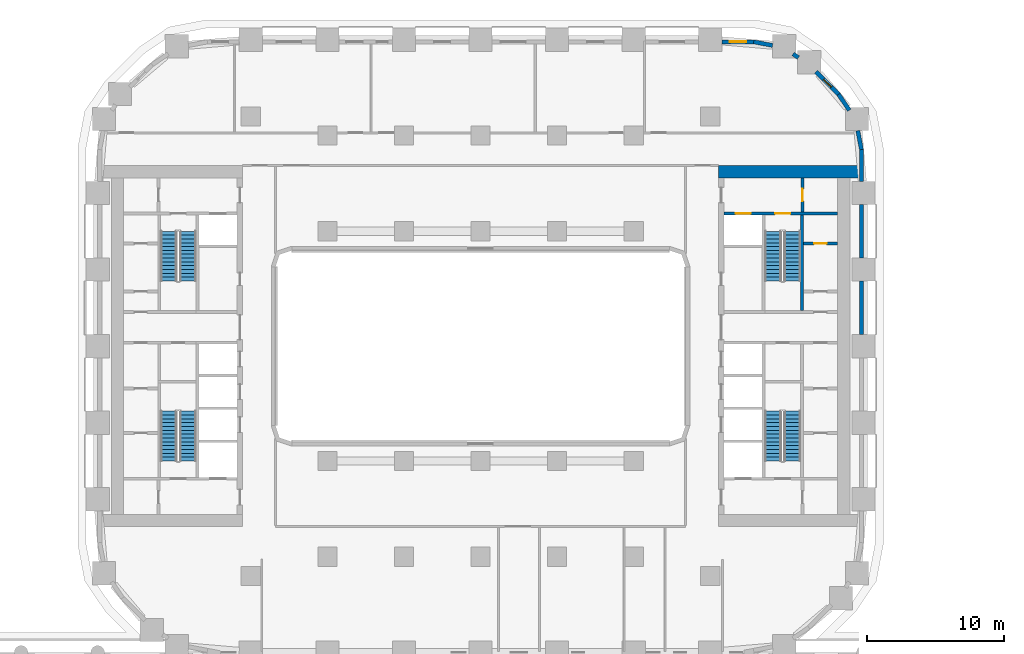
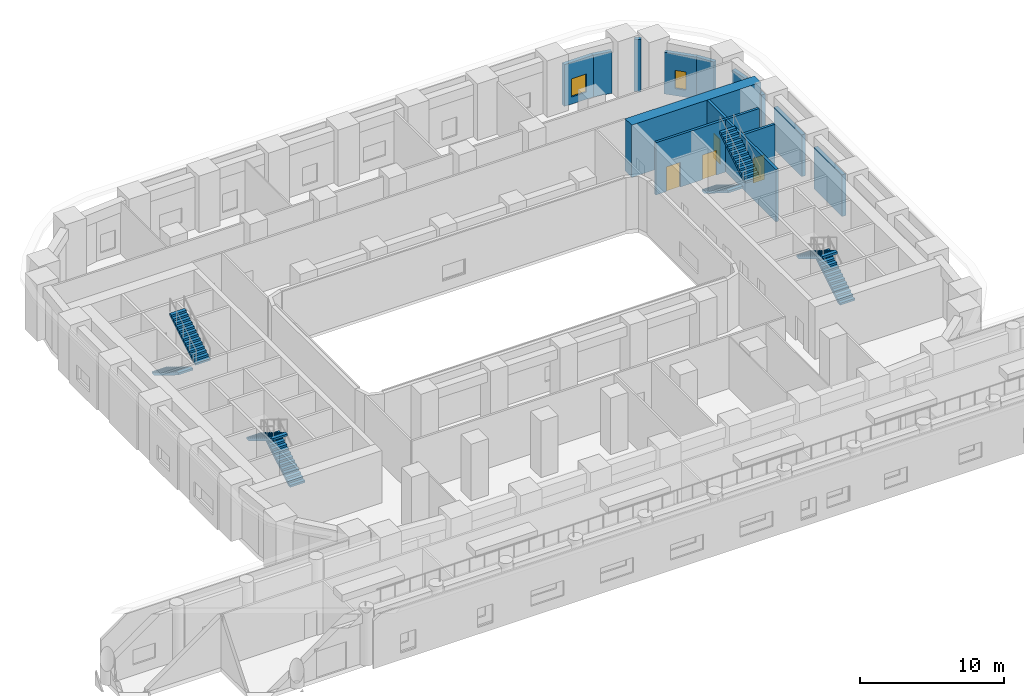
# One storey, part 8 of 13: 14 walls, 8 stair flights, 4 doors, 2 windows, 6 openings, 4 elements without a shape of their own.
"""IFC4 building model written with IfcOpenShell, lengths in metres."""

from ifc_helpers import new_model, si_unit, direction, frame, frame_2d, origin, place, context, subcontext, project, spatial, polyline, rectangle, outline, extrude, material, layer, layer_set, type_object, element, fill, aggregate, save


model = new_model("IFC4")

# Units and contexts
model_context = context("Model", 3, precision=1e-05, world=origin(), true_north=direction((0.0, 1.0)))
body_context = subcontext(model_context, "Body", "Model", "MODEL_VIEW")
ifc_project = project(units=[si_unit("LENGTHUNIT", "METRE"), si_unit("AREAUNIT", "SQUARE_METRE"), si_unit("VOLUMEUNIT", "CUBIC_METRE"), si_unit("PLANEANGLEUNIT", "RADIAN"), si_unit("MASSUNIT", "GRAM", prefix="KILO")], contexts=[model_context])

# Site, building, storey
site_placement = place(None, origin())
site = spatial("IfcSite", under=ifc_project, at=site_placement, CompositionType="ELEMENT")
building_placement = place(site_placement, origin())
building = spatial("IfcBuilding", under=site, at=building_placement, Name="Kiln Ring Residences", CompositionType="ELEMENT")
storey_placement = place(building_placement, frame((0.0, 0.0, 25.699951171875)))
storey = spatial("IfcBuildingStorey", under=building, at=storey_placement, Name="L05", CompositionType="ELEMENT", Elevation=25.699951171875)

# Wall, opening, door
ifc_material_1 = material(Name="Gypsum board on steel studs", Category="steel")
ifc_layer_1 = layer(ifc_material_1, 0.199951171875)
ifc_layer_set_1 = layer_set([ifc_layer_1], Name="CORE-PARTITION-200")
wall_type_1 = type_object("IfcWallType", Name="CORE-PARTITION-200", PredefinedType="PARTITIONING", material=ifc_layer_set_1)
wall_1_placement = place(storey_placement, frame((23.550048828125, 9.800048828125, 0.0), z_axis=(0.0, 0.0, 1.0), x_axis=(0.0, 1.0, 0.0)))
wall_1 = element("IfcWall", 1, at=wall_1_placement, inside=storey, type_object=wall_type_1, Name="Core partition east L05 3", PredefinedType="PARTITIONING", context=body_context, shape_type="SweptSolid", body=[
    extrude(rectangle(XDim=2.5, YDim=0.199951171875, at=frame_2d((1.25, 0.0))), origin(), (0.0, 0.0, 1.0), 4.449951171875),
])
opening_1_placement = place(wall_1_placement, frame((0.800048828125, 0.0, 0.0)))
opening_1 = element("IfcOpeningElement", 2, at=opening_1_placement, cuts=wall_1, Name="Opening L05-CE09", PredefinedType="OPENING", context=body_context, shape_type="SweptSolid", body=[
    extrude(rectangle(XDim=0.89990234375, YDim=2.10009765625, at=frame_2d((0.449951171875, 1.050048828125))), frame((0.0, 0.10986328125, 0.0), z_axis=(0.0, -1.0, 0.0), x_axis=(1.0, 0.0, 0.0)), (0.0, 0.0, 1.0), 0.219970703125),
])
ifc_material_2 = material(Name="Steel door leaf", Category="steel")
door_type_1 = type_object("IfcDoorType", Name="CORE-DOOR-ROOM", OperationType="SINGLE_SWING_LEFT", PredefinedType="DOOR", material=ifc_material_2)
door_1_placement = place(opening_1_placement, origin())
door_1 = element("IfcDoor", 3, at=door_1_placement, inside=storey, type_object=door_type_1, Name="Fire riser room L05-CE09", OperationType="SINGLE_SWING_RIGHT", OverallHeight=2.10009765625, OverallWidth=0.89990234375, PredefinedType="DOOR", context=body_context, shape_type="SweptSolid", body=[
    extrude(rectangle(XDim=0.89990234375, YDim=2.10009765625, at=frame_2d((0.449951171875, 1.050048828125))), frame((0.0, 0.02490234375, 0.0), z_axis=(0.0, -1.0, 0.0), x_axis=(1.0, 0.0, 0.0)), (0.0, 0.0, 1.0), 0.050048828125),
])
fill(opening_1, door_1)

wall_2_placement = place(storey_placement, frame((23.60009765625, 7.5, 0.0), z_axis=(0.0, 0.0, 1.0), x_axis=(1.0, 0.0, 0.0)))
wall_2 = element("IfcWall", 4, at=wall_2_placement, inside=storey, type_object=wall_type_1, Name="Core partition east L05 8", PredefinedType="PARTITIONING", context=body_context, shape_type="SweptSolid", body=[
    extrude(rectangle(XDim=2.5, YDim=0.199951171875, at=frame_2d((1.25, 0.0))), origin(), (0.0, 0.0, 1.0), 4.449951171875),
])
opening_2_placement = place(wall_2_placement, frame((0.800048828125, 0.0, 0.0)))
opening_2 = element("IfcOpeningElement", 5, at=opening_2_placement, cuts=wall_2, Name="Opening L05-CE19", PredefinedType="OPENING", context=body_context, shape_type="SweptSolid", body=[
    extrude(rectangle(XDim=0.89990234375, YDim=2.10009765625, at=frame_2d((0.449951171875, 1.050048828125))), frame((0.0, 0.10986328125, 0.0), z_axis=(0.0, -1.0, 0.0), x_axis=(1.0, 0.0, 0.0)), (0.0, 0.0, 1.0), 0.219970703125),
])
door_2_placement = place(opening_2_placement, origin())
door_2 = element("IfcDoor", 6, at=door_2_placement, inside=storey, type_object=door_type_1, Name="UPS room L05-CE19", OperationType="SINGLE_SWING_LEFT", OverallHeight=2.10009765625, OverallWidth=0.89990234375, PredefinedType="DOOR", context=body_context, shape_type="SweptSolid", body=[
    extrude(rectangle(XDim=0.89990234375, YDim=2.10009765625, at=frame_2d((0.449951171875, 1.050048828125))), frame((0.0, 0.02490234375, 0.0), z_axis=(0.0, -1.0, 0.0), x_axis=(1.0, 0.0, 0.0)), (0.0, 0.0, 1.0), 0.050048828125),
])
fill(opening_2, door_2)

# Wall, openings, doors
ifc_material_3 = material(Name="Concrete C40/50", Category="concrete")
ifc_layer_2 = layer(ifc_material_3, 0.199951171875)
ifc_layer_set_2 = layer_set([ifc_layer_2], Name="CORE-WALL-RC200")
wall_type_2 = type_object("IfcWallType", Name="CORE-WALL-RC200", PredefinedType="SHEAR", material=ifc_layer_set_2)
wall_3_placement = place(storey_placement, frame((17.800048828125, 9.699951171875, 0.0), z_axis=(0.0, 0.0, 1.0), x_axis=(1.0, 0.0, 0.0)))
wall_3 = element("IfcWall", 7, at=wall_3_placement, inside=storey, type_object=wall_type_2, Name="Core wall east L05 9", PredefinedType="SHEAR", context=body_context, shape_type="SweptSolid", body=[
    extrude(rectangle(XDim=8.300048828125, YDim=0.199951171875, at=frame_2d((4.14990234375, 0.0))), origin(), (0.0, 0.0, 1.0), 4.449951171875),
])
opening_3_placement = place(wall_3_placement, frame((0.85009765625, 0.0, 0.0)))
opening_3 = element("IfcOpeningElement", 8, at=opening_3_placement, cuts=wall_3, Name="Opening L05-CE06", PredefinedType="OPENING", context=body_context, shape_type="SweptSolid", body=[
    extrude(rectangle(XDim=1.10009765625, YDim=2.10009765625, at=frame_2d((0.550048828125, 1.050048828125))), frame((0.0, 0.10986328125, 0.0), z_axis=(0.0, -1.0, 0.0), x_axis=(1.0, 0.0, 0.0)), (0.0, 0.0, 1.0), 0.219970703125),
])
opening_4_placement = place(wall_3_placement, frame((3.75, 0.0, 0.0)))
opening_4 = element("IfcOpeningElement", 9, at=opening_4_placement, cuts=wall_3, Name="Opening L05-CE11", PredefinedType="OPENING", context=body_context, shape_type="SweptSolid", body=[
    extrude(rectangle(XDim=1.10009765625, YDim=2.10009765625, at=frame_2d((0.550048828125, 1.050048828125))), frame((0.0, 0.10986328125, 0.0), z_axis=(0.0, -1.0, 0.0), x_axis=(1.0, 0.0, 0.0)), (0.0, 0.0, 1.0), 0.219970703125),
])
ifc_material_4 = material(Name="Steel door leaf", Category="steel")
door_type_2 = type_object("IfcDoorType", Name="CORE-DOOR-LD", OperationType="DOUBLE_DOOR_SLIDING", PredefinedType="DOOR", material=ifc_material_4)
door_3_placement = place(opening_3_placement, origin())
door_3 = element("IfcDoor", 10, at=door_3_placement, inside=storey, type_object=door_type_2, Name="LD E-FF L05-CE06", OperationType="DOUBLE_DOOR_SLIDING", OverallHeight=2.10009765625, OverallWidth=1.10009765625, PredefinedType="DOOR", context=body_context, shape_type="SweptSolid", body=[
    extrude(rectangle(XDim=1.10009765625, YDim=2.10009765625, at=frame_2d((0.550048828125, 1.050048828125))), frame((0.0, 0.02490234375, 0.0), z_axis=(0.0, -1.0, 0.0), x_axis=(1.0, 0.0, 0.0)), (0.0, 0.0, 1.0), 0.050048828125),
])
fill(opening_3, door_3)
ifc_material_5 = material(Name="Steel door leaf", Category="steel")
door_type_3 = type_object("IfcDoorType", Name="CORE-DOOR-STAIR", OperationType="SINGLE_SWING_LEFT", PredefinedType="DOOR", material=ifc_material_5)
door_4_placement = place(opening_4_placement, origin())
door_4 = element("IfcDoor", 11, at=door_4_placement, inside=storey, type_object=door_type_3, Name="Stair E-STN L05-CE11", OperationType="SINGLE_SWING_RIGHT", OverallHeight=2.10009765625, OverallWidth=1.10009765625, PredefinedType="DOOR", context=body_context, shape_type="SweptSolid", body=[
    extrude(rectangle(XDim=1.10009765625, YDim=2.10009765625, at=frame_2d((0.550048828125, 1.050048828125))), frame((0.0, 0.02490234375, 0.0), z_axis=(0.0, -1.0, 0.0), x_axis=(1.0, 0.0, 0.0)), (0.0, 0.0, 1.0), 0.050048828125),
])
fill(opening_4, door_4)

# Walls
wall_4_placement = place(storey_placement, frame((23.5, 2.60009765625, 0.0), z_axis=(0.0, 0.0, 1.0), x_axis=(0.0, 1.0, 0.0)))
element("IfcWall", 12, at=wall_4_placement, inside=storey, type_object=wall_type_2, Name="Core wall east L05 10", PredefinedType="SHEAR", context=body_context, shape_type="SweptSolid", body=[
    extrude(rectangle(XDim=7.0, YDim=0.199951171875, at=frame_2d((3.5, 0.0))), origin(), (0.0, 0.0, 1.0), 4.449951171875),
])
ifc_material_6 = material(Name="Concrete C60/75", Category="concrete")
ifc_layer_3 = layer(ifc_material_6, 0.89990234375)
ifc_layer_set_3 = layer_set([ifc_layer_3], Name="CORE-WALL-RC900")
wall_type_3 = type_object("IfcWallType", Name="CORE-WALL-RC900", PredefinedType="SHEAR", material=ifc_layer_set_3)
wall_5_placement = place(storey_placement, frame((17.39990234375, 12.75, 0.0), z_axis=(0.0, 0.0, 1.0), x_axis=(1.0, 0.0, 0.0)))
element("IfcWall", 13, at=wall_5_placement, inside=storey, type_object=wall_type_3, Name="Core wall east L05 4", PredefinedType="SHEAR", context=body_context, shape_type="SweptSolid", body=[
    extrude(rectangle(XDim=10.400146484375, YDim=0.89990234375, at=frame_2d((5.2001953125, 0.0))), origin(), (0.0, 0.0, 1.0), 4.449951171875),
])
ifc_material_7 = material(Name="Brick masonry, dark clay brick", Category="masonry")
ifc_layer_4 = layer(ifc_material_7, 0.300048828125)
ifc_layer_set_4 = layer_set([ifc_layer_4], Name="EW-300 BRICK WALL")
wall_type_4 = type_object("IfcWallType", Name="EW-300 BRICK WALL", PredefinedType="SOLIDWALL", material=ifc_layer_set_4)
wall_6_placement = place(storey_placement, frame((27.85009765625, 0.85009765625, 0.0), z_axis=(0.0, 0.0, 1.0), x_axis=(0.0, 1.0, 0.0)))
element("IfcWall", 14, at=wall_6_placement, inside=storey, type_object=wall_type_4, Name="Facade wall L05 15", PredefinedType="SOLIDWALL", context=body_context, shape_type="SweptSolid", body=[
    extrude(rectangle(XDim=3.89990234375, YDim=0.300048828125, at=frame_2d((1.949951171875, 0.0))), origin(), (0.0, 0.0, 1.0), 3.550048828125),
])
wall_7_placement = place(storey_placement, frame((27.85009765625, 6.449951171875, 0.0), z_axis=(0.0, 0.0, 1.0), x_axis=(0.0, 1.0, 0.0)))
element("IfcWall", 15, at=wall_7_placement, inside=storey, type_object=wall_type_4, Name="Facade wall L05 16", PredefinedType="SOLIDWALL", context=body_context, shape_type="SweptSolid", body=[
    extrude(rectangle(XDim=3.900146484375, YDim=0.300048828125, at=frame_2d((1.9501953125, 0.0))), origin(), (0.0, 0.0, 1.0), 3.550048828125),
])
wall_8_placement = place(storey_placement, frame((27.85009765625, 12.050048828125, 0.0), z_axis=(0.0, 0.0, 1.0), x_axis=(0.0, 1.0, 0.0)))
element("IfcWall", 16, at=wall_8_placement, inside=storey, type_object=wall_type_4, Name="Facade wall L05 17", PredefinedType="SOLIDWALL", context=body_context, shape_type="SweptSolid", body=[
    extrude(rectangle(XDim=2.349853515625, YDim=0.300048828125, at=frame_2d((1.1748046875, 0.0))), origin(), (0.0, 0.0, 1.0), 3.550048828125),
])
for number, where, z_axis, x_axis, name in (
    (17, (27.8525390625, 14.371826171875, 0.0), (0.0, 0.0, 1.0), (-0.187327504018, 0.982297514116, 0.0), "Facade wall L05 18"),
    (18, (26.96923828125, 17.249755859375, 0.0), (0.0, 0.0, 1.0), (-0.562010802008, 0.827129892112, 0.0), "Facade wall L05 19"),
):
    element("IfcWall", number, at=place(storey_placement, frame(where, z_axis=z_axis, x_axis=x_axis)), inside=storey, type_object=wall_type_4, Name=name, PredefinedType="SOLIDWALL", context=body_context, shape_type="SweptSolid", body=[
        extrude(rectangle(XDim=1.40625, YDim=0.300048828125, at=frame_2d((0.703125, 0.0))), origin(), (0.0, 0.0, 1.0), 3.550048828125),
    ])

# Wall, opening, window
wall_9_placement = place(storey_placement, frame((26.19677734375, 18.390869140625, 0.0), z_axis=(0.0, 0.0, 1.0), x_axis=(-0.707054835785, 0.707158722772, 0.0)))
wall_9 = element("IfcWall", 19, at=wall_9_placement, inside=storey, type_object=wall_type_4, Name="Facade wall L05 20", PredefinedType="SOLIDWALL", context=body_context, shape_type="SweptSolid", body=[
    extrude(rectangle(XDim=2.35009765625, YDim=0.300048828125, at=frame_2d((1.175048828125, 0.0))), origin(), (0.0, 0.0, 1.0), 3.550048828125),
])
opening_5_placement = place(wall_9_placement, frame((0.77490234375, 0.0, 0.60009765625)))
opening_5 = element("IfcOpeningElement", 20, at=opening_5_placement, cuts=wall_9, Name="Opening W5", PredefinedType="OPENING", context=body_context, shape_type="SweptSolid", body=[
    extrude(rectangle(XDim=0.800048828125, YDim=1.550048828125, at=frame_2d((0.39990234375, 0.77490234375))), frame((0.0, 0.159912109375, 0.0), z_axis=(0.0, -1.0, 0.0), x_axis=(1.0, 0.0, 0.0)), (0.0, 0.0, 1.0), 0.320068359375),
])
ifc_material_8 = material(Name="Aluminium frame with double glazing", Category="aluminium")
window_type_1 = type_object("IfcWindowType", Name="WINDOW 800 x 1550", PartitioningType="SINGLE_PANEL", PredefinedType="WINDOW", material=ifc_material_8)
window_1_placement = place(opening_5_placement, origin())
window_1 = element("IfcWindow", 21, at=window_1_placement, inside=storey, type_object=window_type_1, Name="Window L05 8", OverallHeight=1.550048828125, OverallWidth=0.800048828125, PartitioningType="SINGLE_PANEL", PredefinedType="WINDOW", context=body_context, shape_type="SweptSolid", body=[
    extrude(rectangle(XDim=0.800048828125, YDim=1.550048828125, at=frame_2d((0.39990234375, 0.77490234375))), frame((0.0, 0.030029296875, 0.0), z_axis=(0.0, -1.0, 0.0), x_axis=(1.0, 0.0, 0.0)), (0.0, 0.0, 1.0), 0.06005859375),
])
fill(opening_5, window_1)

# Walls
wall_10_placement = place(storey_placement, frame((23.244384765625, 21.10107421875, 0.0), z_axis=(0.0, 0.0, 1.0), x_axis=(-0.827135885329, 0.562001981492, 0.0)))
element("IfcWall", 22, at=wall_10_placement, inside=storey, type_object=wall_type_4, Name="Facade wall L05 21", PredefinedType="SOLIDWALL", context=body_context, shape_type="SweptSolid", body=[
    extrude(rectangle(XDim=0.47705078125, YDim=0.300048828125, at=frame_2d((0.238525390625, 0.0))), origin(), (0.0, 0.0, 1.0), 4.449951171875),
])
wall_11_placement = place(storey_placement, frame((21.35302734375, 21.9892578125, 0.0), z_axis=(0.0, 0.0, 1.0), x_axis=(-0.98229142023, 0.187359455971, 0.0)))
element("IfcWall", 23, at=wall_11_placement, inside=storey, type_object=wall_type_4, Name="Facade wall L05 22", PredefinedType="SOLIDWALL", context=body_context, shape_type="SweptSolid", body=[
    extrude(rectangle(XDim=1.406005859375, YDim=0.300048828125, at=frame_2d((0.703125, 0.0))), origin(), (0.0, 0.0, 1.0), 3.550048828125),
])

# Wall, opening, window
wall_12_placement = place(storey_placement, frame((20.0, 22.25, 0.0), z_axis=(0.0, 0.0, 1.0), x_axis=(-1.0, 0.0, 0.0)))
wall_12 = element("IfcWall", 24, at=wall_12_placement, inside=storey, type_object=wall_type_4, Name="Facade wall L05 23", PredefinedType="SOLIDWALL", context=body_context, shape_type="SweptSolid", body=[
    extrude(rectangle(XDim=2.35009765625, YDim=0.300048828125, at=frame_2d((1.175048828125, 0.0))), origin(), (0.0, 0.0, 1.0), 3.550048828125),
])
opening_6_placement = place(wall_12_placement, frame((0.574951171875, 0.0, 0.60009765625)))
opening_6 = element("IfcOpeningElement", 25, at=opening_6_placement, cuts=wall_12, Name="Opening W1", PredefinedType="OPENING", context=body_context, shape_type="SweptSolid", body=[
    extrude(rectangle(XDim=1.199951171875, YDim=1.550048828125, at=frame_2d((0.60009765625, 0.77490234375))), frame((0.0, 0.159912109375, 0.0), z_axis=(0.0, -1.0, 0.0), x_axis=(1.0, 0.0, 0.0)), (0.0, 0.0, 1.0), 0.320068359375),
])
ifc_material_9 = material(Name="Aluminium frame with double glazing", Category="aluminium")
window_type_2 = type_object("IfcWindowType", Name="WINDOW 1200 x 1550", PartitioningType="SINGLE_PANEL", PredefinedType="WINDOW", material=ifc_material_9)
window_2_placement = place(opening_6_placement, origin())
window_2 = element("IfcWindow", 26, at=window_2_placement, inside=storey, type_object=window_type_2, Name="Window L05 9", OverallHeight=1.550048828125, OverallWidth=1.199951171875, PartitioningType="SINGLE_PANEL", PredefinedType="WINDOW", context=body_context, shape_type="SweptSolid", body=[
    extrude(rectangle(XDim=1.199951171875, YDim=1.550048828125, at=frame_2d((0.60009765625, 0.77490234375))), frame((0.0, 0.030029296875, 0.0), z_axis=(0.0, -1.0, 0.0), x_axis=(1.0, 0.0, 0.0)), (0.0, 0.0, 1.0), 0.06005859375),
])
fill(opening_6, window_2)

# Stair, stair flights
ifc_material_10 = material(Name="Concrete C40/50", Category="concrete")
stair_type = type_object("IfcStairType", Name="CORE-STAIR", PredefinedType="HALF_TURN_STAIR", material=ifc_material_10)
placement = place(storey_placement, origin())
stair_1 = element("IfcStair", 27, at=placement, inside=storey, type_object=stair_type, Name="L05 stair W-STN", PredefinedType="HALF_TURN_STAIR")
ifc_material_11 = material(Name="Concrete C40/50", Category="concrete")
stair_flight_type = type_object("IfcStairFlightType", Name="CORE-STAIR-FLIGHT", PredefinedType="STRAIGHT", material=ifc_material_11)
stair_flight_1_placement = place(storey_placement, frame((-22.800048828125, 8.39990234375, 0.0), z_axis=(0.0, 0.0, 1.0), x_axis=(0.0, -1.0, 0.0)))
stair_flight_1 = element("IfcStairFlight", 28, at=stair_flight_1_placement, type_object=stair_flight_type, Name="W-STN flight 1", NumberOfRisers=14, NumberOfTreads=13, PredefinedType="STRAIGHT", RiserHeight=0.171428571, TreadLength=0.28, context=body_context, shape_type="SweptSolid", body=[
    extrude(outline(polyline([(0.0, 0.0), (0.0, 0.17138671875), (0.280029296875, 0.17138671875), (0.280029296875, 0.3427734375), (0.56005859375, 0.3427734375), (0.56005859375, 0.514404296875), (0.840087890625, 0.514404296875), (0.840087890625, 0.685791015625), (1.1201171875, 0.685791015625), (1.1201171875, 0.857177734375), (1.39990234375, 0.857177734375), (1.39990234375, 1.028564453125), (1.679931640625, 1.028564453125), (1.679931640625, 1.199951171875), (1.9599609375, 1.199951171875), (1.9599609375, 1.371337890625), (2.239990234375, 1.371337890625), (2.239990234375, 1.54296875), (2.52001953125, 1.54296875), (2.52001953125, 1.71435546875), (2.800048828125, 1.71435546875), (2.800048828125, 1.8857421875), (3.080078125, 1.8857421875), (3.080078125, 2.05712890625), (3.360107421875, 2.05712890625), (3.360107421875, 2.228515625), (3.639892578125, 2.228515625), (3.639892578125, 2.39990234375), (3.639892578125, 2.052734375), (0.287109375, 0.0), (0.0, 0.0)])), frame((0.0, 0.60009765625, 0.0), z_axis=(0.0, -1.0, 0.0), x_axis=(1.0, 0.0, 0.0)), (0.0, 0.0, 1.0), 1.199951171875),
])
stair_flight_2_placement = place(storey_placement, frame((-21.39990234375, 4.760009765625, 2.400146484375), z_axis=(0.0, 0.0, 1.0), x_axis=(0.0, 1.0, 0.0)))
stair_flight_2 = element("IfcStairFlight", 29, at=stair_flight_2_placement, type_object=stair_flight_type, Name="W-STN flight 2", NumberOfRisers=14, NumberOfTreads=13, PredefinedType="STRAIGHT", RiserHeight=0.171428571, TreadLength=0.28, context=body_context, shape_type="SweptSolid", body=[
    extrude(outline(polyline([(0.0, 0.0), (0.0, 0.17138671875), (0.280029296875, 0.17138671875), (0.280029296875, 0.3427734375), (0.56005859375, 0.3427734375), (0.56005859375, 0.514404296875), (0.840087890625, 0.514404296875), (0.840087890625, 0.685791015625), (1.1201171875, 0.685791015625), (1.1201171875, 0.857177734375), (1.39990234375, 0.857177734375), (1.39990234375, 1.028564453125), (1.679931640625, 1.028564453125), (1.679931640625, 1.199951171875), (1.9599609375, 1.199951171875), (1.9599609375, 1.371337890625), (2.239990234375, 1.371337890625), (2.239990234375, 1.54296875), (2.52001953125, 1.54296875), (2.52001953125, 1.71435546875), (2.800048828125, 1.71435546875), (2.800048828125, 1.8857421875), (3.080078125, 1.8857421875), (3.080078125, 2.05712890625), (3.360107421875, 2.05712890625), (3.360107421875, 2.228515625), (3.639892578125, 2.228515625), (3.639892578125, 2.39990234375), (3.639892578125, 2.052734375), (0.287109375, 0.0), (0.0, 0.0)])), frame((0.0, 0.60009765625, 0.0), z_axis=(0.0, -1.0, 0.0), x_axis=(1.0, 0.0, 0.0)), (0.0, 0.0, 1.0), 1.199951171875),
])
aggregate(stair_1, [stair_flight_1, stair_flight_2])

stair_2 = element("IfcStair", 30, at=placement, inside=storey, type_object=stair_type, Name="L05 stair W-STS", PredefinedType="HALF_TURN_STAIR")
stair_flight_3_placement = place(storey_placement, frame((-21.39990234375, -8.39990234375, 0.0), z_axis=(0.0, 0.0, 1.0), x_axis=(0.0, 1.0, 0.0)))
stair_flight_3 = element("IfcStairFlight", 31, at=stair_flight_3_placement, type_object=stair_flight_type, Name="W-STS flight 1", NumberOfRisers=14, NumberOfTreads=13, PredefinedType="STRAIGHT", RiserHeight=0.171428571, TreadLength=0.28, context=body_context, shape_type="SweptSolid", body=[
    extrude(outline(polyline([(0.0, 0.0), (0.0, 0.17138671875), (0.280029296875, 0.17138671875), (0.280029296875, 0.3427734375), (0.56005859375, 0.3427734375), (0.56005859375, 0.514404296875), (0.840087890625, 0.514404296875), (0.840087890625, 0.685791015625), (1.1201171875, 0.685791015625), (1.1201171875, 0.857177734375), (1.39990234375, 0.857177734375), (1.39990234375, 1.028564453125), (1.679931640625, 1.028564453125), (1.679931640625, 1.199951171875), (1.9599609375, 1.199951171875), (1.9599609375, 1.371337890625), (2.239990234375, 1.371337890625), (2.239990234375, 1.54296875), (2.52001953125, 1.54296875), (2.52001953125, 1.71435546875), (2.800048828125, 1.71435546875), (2.800048828125, 1.8857421875), (3.080078125, 1.8857421875), (3.080078125, 2.05712890625), (3.360107421875, 2.05712890625), (3.360107421875, 2.228515625), (3.639892578125, 2.228515625), (3.639892578125, 2.39990234375), (3.639892578125, 2.052734375), (0.287109375, 0.0), (0.0, 0.0)])), frame((0.0, 0.60009765625, 0.0), z_axis=(0.0, -1.0, 0.0), x_axis=(1.0, 0.0, 0.0)), (0.0, 0.0, 1.0), 1.199951171875),
])
stair_flight_4_placement = place(storey_placement, frame((-22.800048828125, -4.760009765625, 2.400146484375), z_axis=(0.0, 0.0, 1.0), x_axis=(0.0, -1.0, 0.0)))
stair_flight_4 = element("IfcStairFlight", 32, at=stair_flight_4_placement, type_object=stair_flight_type, Name="W-STS flight 2", NumberOfRisers=14, NumberOfTreads=13, PredefinedType="STRAIGHT", RiserHeight=0.171428571, TreadLength=0.28, context=body_context, shape_type="SweptSolid", body=[
    extrude(outline(polyline([(0.0, 0.0), (0.0, 0.17138671875), (0.280029296875, 0.17138671875), (0.280029296875, 0.3427734375), (0.56005859375, 0.3427734375), (0.56005859375, 0.514404296875), (0.840087890625, 0.514404296875), (0.840087890625, 0.685791015625), (1.1201171875, 0.685791015625), (1.1201171875, 0.857177734375), (1.39990234375, 0.857177734375), (1.39990234375, 1.028564453125), (1.679931640625, 1.028564453125), (1.679931640625, 1.199951171875), (1.9599609375, 1.199951171875), (1.9599609375, 1.371337890625), (2.239990234375, 1.371337890625), (2.239990234375, 1.54296875), (2.52001953125, 1.54296875), (2.52001953125, 1.71435546875), (2.800048828125, 1.71435546875), (2.800048828125, 1.8857421875), (3.080078125, 1.8857421875), (3.080078125, 2.05712890625), (3.360107421875, 2.05712890625), (3.360107421875, 2.228515625), (3.639892578125, 2.228515625), (3.639892578125, 2.39990234375), (3.639892578125, 2.052734375), (0.287109375, 0.0), (0.0, 0.0)])), frame((0.0, 0.60009765625, 0.0), z_axis=(0.0, -1.0, 0.0), x_axis=(1.0, 0.0, 0.0)), (0.0, 0.0, 1.0), 1.199951171875),
])
aggregate(stair_2, [stair_flight_3, stair_flight_4])

stair_3 = element("IfcStair", 33, at=placement, inside=storey, type_object=stair_type, Name="L05 stair E-STN", PredefinedType="HALF_TURN_STAIR")
stair_flight_5_placement = place(storey_placement, frame((21.39990234375, 8.39990234375, 0.0), z_axis=(0.0, 0.0, 1.0), x_axis=(0.0, -1.0, 0.0)))
stair_flight_5 = element("IfcStairFlight", 34, at=stair_flight_5_placement, type_object=stair_flight_type, Name="E-STN flight 1", NumberOfRisers=14, NumberOfTreads=13, PredefinedType="STRAIGHT", RiserHeight=0.171428571, TreadLength=0.28, context=body_context, shape_type="SweptSolid", body=[
    extrude(outline(polyline([(0.0, 0.0), (0.0, 0.17138671875), (0.280029296875, 0.17138671875), (0.280029296875, 0.3427734375), (0.56005859375, 0.3427734375), (0.56005859375, 0.514404296875), (0.840087890625, 0.514404296875), (0.840087890625, 0.685791015625), (1.1201171875, 0.685791015625), (1.1201171875, 0.857177734375), (1.39990234375, 0.857177734375), (1.39990234375, 1.028564453125), (1.679931640625, 1.028564453125), (1.679931640625, 1.199951171875), (1.9599609375, 1.199951171875), (1.9599609375, 1.371337890625), (2.239990234375, 1.371337890625), (2.239990234375, 1.54296875), (2.52001953125, 1.54296875), (2.52001953125, 1.71435546875), (2.800048828125, 1.71435546875), (2.800048828125, 1.8857421875), (3.080078125, 1.8857421875), (3.080078125, 2.05712890625), (3.360107421875, 2.05712890625), (3.360107421875, 2.228515625), (3.639892578125, 2.228515625), (3.639892578125, 2.39990234375), (3.639892578125, 2.052734375), (0.287109375, 0.0), (0.0, 0.0)])), frame((0.0, 0.60009765625, 0.0), z_axis=(0.0, -1.0, 0.0), x_axis=(1.0, 0.0, 0.0)), (0.0, 0.0, 1.0), 1.199951171875),
])
stair_flight_6_placement = place(storey_placement, frame((22.800048828125, 4.760009765625, 2.400146484375), z_axis=(0.0, 0.0, 1.0), x_axis=(0.0, 1.0, 0.0)))
stair_flight_6 = element("IfcStairFlight", 35, at=stair_flight_6_placement, type_object=stair_flight_type, Name="E-STN flight 2", NumberOfRisers=14, NumberOfTreads=13, PredefinedType="STRAIGHT", RiserHeight=0.171428571, TreadLength=0.28, context=body_context, shape_type="SweptSolid", body=[
    extrude(outline(polyline([(0.0, 0.0), (0.0, 0.17138671875), (0.280029296875, 0.17138671875), (0.280029296875, 0.3427734375), (0.56005859375, 0.3427734375), (0.56005859375, 0.514404296875), (0.840087890625, 0.514404296875), (0.840087890625, 0.685791015625), (1.1201171875, 0.685791015625), (1.1201171875, 0.857177734375), (1.39990234375, 0.857177734375), (1.39990234375, 1.028564453125), (1.679931640625, 1.028564453125), (1.679931640625, 1.199951171875), (1.9599609375, 1.199951171875), (1.9599609375, 1.371337890625), (2.239990234375, 1.371337890625), (2.239990234375, 1.54296875), (2.52001953125, 1.54296875), (2.52001953125, 1.71435546875), (2.800048828125, 1.71435546875), (2.800048828125, 1.8857421875), (3.080078125, 1.8857421875), (3.080078125, 2.05712890625), (3.360107421875, 2.05712890625), (3.360107421875, 2.228515625), (3.639892578125, 2.228515625), (3.639892578125, 2.39990234375), (3.639892578125, 2.052734375), (0.287109375, 0.0), (0.0, 0.0)])), frame((0.0, 0.60009765625, 0.0), z_axis=(0.0, -1.0, 0.0), x_axis=(1.0, 0.0, 0.0)), (0.0, 0.0, 1.0), 1.199951171875),
])
aggregate(stair_3, [stair_flight_5, stair_flight_6])

stair_4 = element("IfcStair", 36, at=placement, inside=storey, type_object=stair_type, Name="L05 stair E-STS", PredefinedType="HALF_TURN_STAIR")
stair_flight_7_placement = place(storey_placement, frame((22.800048828125, -8.39990234375, 0.0), z_axis=(0.0, 0.0, 1.0), x_axis=(0.0, 1.0, 0.0)))
stair_flight_7 = element("IfcStairFlight", 37, at=stair_flight_7_placement, type_object=stair_flight_type, Name="E-STS flight 1", NumberOfRisers=14, NumberOfTreads=13, PredefinedType="STRAIGHT", RiserHeight=0.171428571, TreadLength=0.28, context=body_context, shape_type="SweptSolid", body=[
    extrude(outline(polyline([(0.0, 0.0), (0.0, 0.17138671875), (0.280029296875, 0.17138671875), (0.280029296875, 0.3427734375), (0.56005859375, 0.3427734375), (0.56005859375, 0.514404296875), (0.840087890625, 0.514404296875), (0.840087890625, 0.685791015625), (1.1201171875, 0.685791015625), (1.1201171875, 0.857177734375), (1.39990234375, 0.857177734375), (1.39990234375, 1.028564453125), (1.679931640625, 1.028564453125), (1.679931640625, 1.199951171875), (1.9599609375, 1.199951171875), (1.9599609375, 1.371337890625), (2.239990234375, 1.371337890625), (2.239990234375, 1.54296875), (2.52001953125, 1.54296875), (2.52001953125, 1.71435546875), (2.800048828125, 1.71435546875), (2.800048828125, 1.8857421875), (3.080078125, 1.8857421875), (3.080078125, 2.05712890625), (3.360107421875, 2.05712890625), (3.360107421875, 2.228515625), (3.639892578125, 2.228515625), (3.639892578125, 2.39990234375), (3.639892578125, 2.052734375), (0.287109375, 0.0), (0.0, 0.0)])), frame((0.0, 0.60009765625, 0.0), z_axis=(0.0, -1.0, 0.0), x_axis=(1.0, 0.0, 0.0)), (0.0, 0.0, 1.0), 1.199951171875),
])
stair_flight_8_placement = place(storey_placement, frame((21.39990234375, -4.760009765625, 2.400146484375), z_axis=(0.0, 0.0, 1.0), x_axis=(0.0, -1.0, 0.0)))
stair_flight_8 = element("IfcStairFlight", 38, at=stair_flight_8_placement, type_object=stair_flight_type, Name="E-STS flight 2", NumberOfRisers=14, NumberOfTreads=13, PredefinedType="STRAIGHT", RiserHeight=0.171428571, TreadLength=0.28, context=body_context, shape_type="SweptSolid", body=[
    extrude(outline(polyline([(0.0, 0.0), (0.0, 0.17138671875), (0.280029296875, 0.17138671875), (0.280029296875, 0.3427734375), (0.56005859375, 0.3427734375), (0.56005859375, 0.514404296875), (0.840087890625, 0.514404296875), (0.840087890625, 0.685791015625), (1.1201171875, 0.685791015625), (1.1201171875, 0.857177734375), (1.39990234375, 0.857177734375), (1.39990234375, 1.028564453125), (1.679931640625, 1.028564453125), (1.679931640625, 1.199951171875), (1.9599609375, 1.199951171875), (1.9599609375, 1.371337890625), (2.239990234375, 1.371337890625), (2.239990234375, 1.54296875), (2.52001953125, 1.54296875), (2.52001953125, 1.71435546875), (2.800048828125, 1.71435546875), (2.800048828125, 1.8857421875), (3.080078125, 1.8857421875), (3.080078125, 2.05712890625), (3.360107421875, 2.05712890625), (3.360107421875, 2.228515625), (3.639892578125, 2.228515625), (3.639892578125, 2.39990234375), (3.639892578125, 2.052734375), (0.287109375, 0.0), (0.0, 0.0)])), frame((0.0, 0.60009765625, 0.0), z_axis=(0.0, -1.0, 0.0), x_axis=(1.0, 0.0, 0.0)), (0.0, 0.0, 1.0), 1.199951171875),
])
aggregate(stair_4, [stair_flight_7, stair_flight_8])

save(model, "model.ifc")
